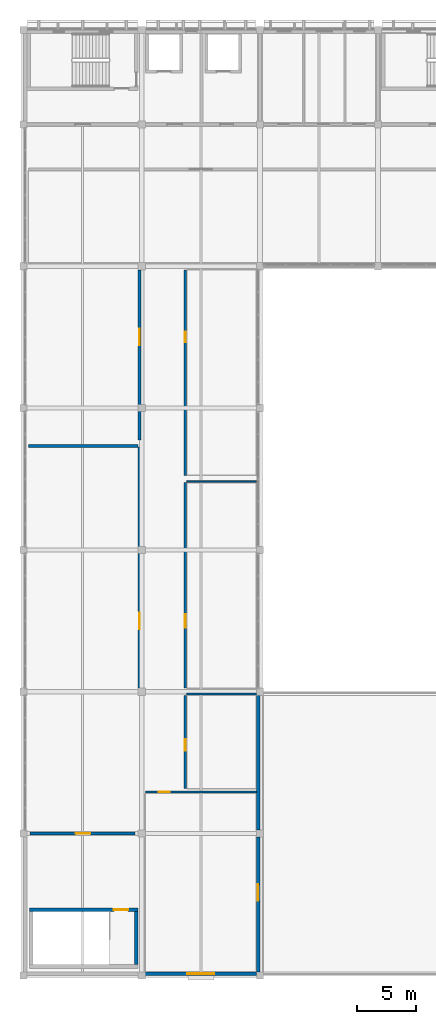
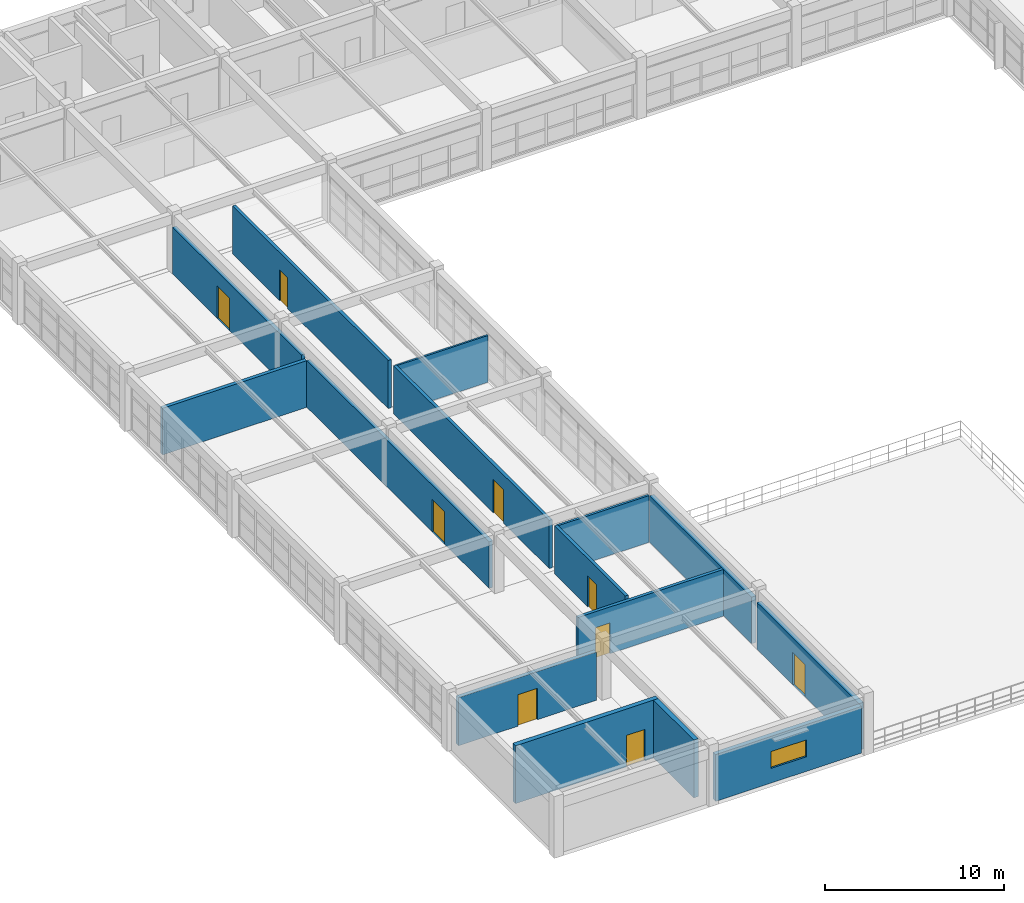
# One storey, part 19 of 28: 15 walls, 9 doors, 1 window, 10 openings.
"""IFC4 building model written with IfcOpenShell, lengths in metres."""

from ifc_helpers import new_model, si_unit, direction, frame, frame_2d, origin, place, context, subcontext, project, spatial, rectangle, extrude, material, layer, layer_set, type_object, element, fill, save


model = new_model("IFC4")

# Units and contexts
model_context = context("Model", 3, precision=1e-05, world=origin(), true_north=direction((0.0, 1.0)))
body_context = subcontext(model_context, "Body", "Model", "MODEL_VIEW")
ifc_project = project(units=[si_unit("LENGTHUNIT", "METRE"), si_unit("AREAUNIT", "SQUARE_METRE"), si_unit("VOLUMEUNIT", "CUBIC_METRE"), si_unit("PLANEANGLEUNIT", "RADIAN"), si_unit("MASSUNIT", "GRAM", prefix="KILO")], contexts=[model_context])

# Site, building, storey
site_placement = place(None, origin())
site = spatial("IfcSite", under=ifc_project, at=site_placement, CompositionType="ELEMENT")
building_placement = place(site_placement, origin())
building = spatial("IfcBuilding", under=site, at=building_placement, Name="Kivolera Central Railway Station", CompositionType="ELEMENT")
storey_placement = place(building_placement, frame((0.0, 0.0, 18.60009765625)))
storey = spatial("IfcBuildingStorey", under=building, at=storey_placement, Name="L04", CompositionType="ELEMENT", Elevation=18.60009765625)

# Wall, opening, door
ifc_material_1 = material(Name="Concrete C40/50", Category="concrete")
ifc_layer_1 = layer(ifc_material_1, 0.22998046875, Name="Concrete C40/50")
ifc_layer_set_1 = layer_set([ifc_layer_1], Name="Concrete C40/50")
wall_type_1 = type_object("IfcWallType", Name="WL-COMP-230", PredefinedType="PARTITIONING", material=ifc_layer_set_1)
wall_1_placement = place(storey_placement, frame((127.820068359375, 78.300048828125, 0.0), z_axis=(0.0, 0.0, 1.0), x_axis=(0.0, 1.0, 0.0)))
wall_1 = element("IfcWall", 1, at=wall_1_placement, inside=storey, type_object=wall_type_1, Name="L04 Interlocking Signalling Relay Laboratory Corridor Wall", PredefinedType="PARTITIONING", context=body_context, shape_type="SweptSolid", body=[
    extrude(rectangle(XDim=20.39990234375, YDim=0.22998046875, at=frame_2d((10.199951171875, 0.0))), origin(), (0.0, 0.0, 1.0), 3.18798828125),
])
opening_1_placement = place(wall_1_placement, frame((5.0, 0.0, 0.0)))
opening_1 = element("IfcOpeningElement", 2, at=opening_1_placement, cuts=wall_1, Name="Opening D-PLT-1400", PredefinedType="OPENING", context=body_context, shape_type="SweptSolid", body=[
    extrude(rectangle(XDim=1.39990234375, YDim=2.199951171875, at=frame_2d((0.699951171875, 1.10009765625))), frame((0.0, 0.125, 0.0), z_axis=(0.0, -1.0, 0.0), x_axis=(1.0, 0.0, 0.0)), (0.0, 0.0, 1.0), 0.25),
])
ifc_material_2 = material(Name="Anodised aluminium", Category="aluminium")
door_type_1 = type_object("IfcDoorType", Name="DR-D-PLT-1400", OperationType="NOTDEFINED", PredefinedType="DOOR", material=ifc_material_2)
door_1_placement = place(opening_1_placement, origin())
door_1 = element("IfcDoor", 3, at=door_1_placement, inside=storey, type_object=door_type_1, Name="L04 Interlocking Signalling Relay Laboratory Door", OperationType="SINGLE_SWING_LEFT", OverallHeight=2.199951171875, OverallWidth=1.39990234375, PredefinedType="DOOR", context=body_context, shape_type="SweptSolid", body=[
    extrude(rectangle(XDim=1.39990234375, YDim=2.199951171875, at=frame_2d((0.699951171875, 1.10009765625))), frame((0.0, 0.02490234375, 0.0), z_axis=(0.0, -1.0, 0.0), x_axis=(1.0, 0.0, 0.0)), (0.0, 0.0, 1.0), 0.050048828125),
])
fill(opening_1, door_1)

# Wall
wall_2_placement = place(storey_placement, frame((118.39990234375, 98.800048828125, 0.0), z_axis=(0.0, 0.0, 1.0), x_axis=(1.0, 0.0, 0.0)))
element("IfcWall", 4, at=wall_2_placement, inside=storey, type_object=wall_type_1, Name="L04 Interlocking Signalling Relay Laboratory Partition Wall", PredefinedType="PARTITIONING", context=body_context, shape_type="SweptSolid", body=[
    extrude(rectangle(XDim=9.300048828125, YDim=0.22998046875, at=frame_2d((4.64990234375, 0.0))), origin(), (0.0, 0.0, 1.0), 3.18798828125),
])

# Wall, opening, door
wall_3_placement = place(storey_placement, frame((127.820068359375, 99.300048828125, 0.0), z_axis=(0.0, 0.0, 1.0), x_axis=(0.0, 1.0, 0.0)))
wall_3 = element("IfcWall", 5, at=wall_3_placement, inside=storey, type_object=wall_type_1, Name="L04 Fibre Telecoms Transmission Laboratory Corridor Wall", PredefinedType="PARTITIONING", context=body_context, shape_type="SweptSolid", body=[
    extrude(rectangle(XDim=14.39990234375, YDim=0.22998046875, at=frame_2d((7.199951171875, 0.0))), origin(), (0.0, 0.0, 1.0), 3.18798828125),
])
opening_2_placement = place(wall_3_placement, frame((8.0, 0.0, 0.0)))
opening_2 = element("IfcOpeningElement", 6, at=opening_2_placement, cuts=wall_3, Name="Opening D-PLT-1400", PredefinedType="OPENING", context=body_context, shape_type="SweptSolid", body=[
    extrude(rectangle(XDim=1.39990234375, YDim=2.199951171875, at=frame_2d((0.699951171875, 1.10009765625))), frame((0.0, 0.125, 0.0), z_axis=(0.0, -1.0, 0.0), x_axis=(1.0, 0.0, 0.0)), (0.0, 0.0, 1.0), 0.25),
])
door_2_placement = place(opening_2_placement, origin())
door_2 = element("IfcDoor", 7, at=door_2_placement, inside=storey, type_object=door_type_1, Name="L04 Fibre Telecoms Transmission Laboratory Door", OperationType="SINGLE_SWING_RIGHT", OverallHeight=2.199951171875, OverallWidth=1.39990234375, PredefinedType="DOOR", context=body_context, shape_type="SweptSolid", body=[
    extrude(rectangle(XDim=1.39990234375, YDim=2.199951171875, at=frame_2d((0.699951171875, 1.10009765625))), frame((0.0, 0.02490234375, 0.0), z_axis=(0.0, -1.0, 0.0), x_axis=(1.0, 0.0, 0.0)), (0.0, 0.0, 1.0), 0.050048828125),
])
fill(opening_2, door_2)

ifc_material_3 = material(Name="Swahili coral limestone", Category="masonry")
ifc_layer_2 = layer(ifc_material_3, 0.199951171875, Name="Swahili coral limestone")
ifc_layer_set_2 = layer_set([ifc_layer_2], Name="Swahili coral limestone")
wall_type_2 = type_object("IfcWallType", Name="WL-COR-200", PredefinedType="PARTITIONING", material=ifc_layer_set_2)
wall_4_placement = place(storey_placement, frame((131.679931640625, 78.300048828125, 0.0), z_axis=(0.0, 0.0, 1.0), x_axis=(0.0, 1.0, 0.0)))
wall_4 = element("IfcWall", 8, at=wall_4_placement, inside=storey, type_object=wall_type_2, Name="L04 Signallers' Quiet Rest Lounge Corridor Wall", PredefinedType="PARTITIONING", context=body_context, shape_type="SweptSolid", body=[
    extrude(rectangle(XDim=17.39990234375, YDim=0.199951171875, at=frame_2d((8.699951171875, 0.0))), origin(), (0.0, 0.0, 1.0), 3.287841796875),
])
opening_3_placement = place(wall_4_placement, frame((5.125, 0.0, 0.0)))
opening_3 = element("IfcOpeningElement", 9, at=opening_3_placement, cuts=wall_4, Name="Opening D-SG-15", PredefinedType="OPENING", context=body_context, shape_type="SweptSolid", body=[
    extrude(rectangle(XDim=1.14990234375, YDim=2.300048828125, at=frame_2d((0.574951171875, 1.14990234375))), frame((0.0, 0.10986328125, 0.0), z_axis=(0.0, -1.0, 0.0), x_axis=(1.0, 0.0, 0.0)), (0.0, 0.0, 1.0), 0.219970703125),
])
ifc_material_4 = material(Name="Hardwood mvule timber", Category="wood")
door_type_2 = type_object("IfcDoorType", Name="DR-D-SG-15", OperationType="NOTDEFINED", PredefinedType="DOOR", material=ifc_material_4)
door_3_placement = place(opening_3_placement, origin())
door_3 = element("IfcDoor", 10, at=door_3_placement, inside=storey, type_object=door_type_2, Name="L04 Signallers' Quiet Rest Lounge Door", OperationType="SINGLE_SWING_LEFT", OverallHeight=2.300048828125, OverallWidth=1.14990234375, PredefinedType="DOOR", context=body_context, shape_type="SweptSolid", body=[
    extrude(rectangle(XDim=1.14990234375, YDim=2.300048828125, at=frame_2d((0.574951171875, 1.14990234375))), frame((0.0, 0.02490234375, 0.0), z_axis=(0.0, -1.0, 0.0), x_axis=(1.0, 0.0, 0.0)), (0.0, 0.0, 1.0), 0.050048828125),
])
fill(opening_3, door_3)

wall_5_placement = place(storey_placement, frame((131.679931640625, 96.300048828125, 0.0), z_axis=(0.0, 0.0, 1.0), x_axis=(0.0, 1.0, 0.0)))
wall_5 = element("IfcWall", 11, at=wall_5_placement, inside=storey, type_object=wall_type_2, Name="L04 Control Floor Refreshment Cafe Corridor Wall", PredefinedType="PARTITIONING", context=body_context, shape_type="SweptSolid", body=[
    extrude(rectangle(XDim=17.39990234375, YDim=0.199951171875, at=frame_2d((8.699951171875, 0.0))), origin(), (0.0, 0.0, 1.0), 3.287841796875),
])
opening_4_placement = place(wall_5_placement, frame((11.25, 0.0, 0.0)))
opening_4 = element("IfcOpeningElement", 12, at=opening_4_placement, cuts=wall_5, Name="Opening D-SG-01", PredefinedType="OPENING", context=body_context, shape_type="SweptSolid", body=[
    extrude(rectangle(XDim=0.89990234375, YDim=2.10009765625, at=frame_2d((0.449951171875, 1.050048828125))), frame((0.0, 0.10986328125, 0.0), z_axis=(0.0, -1.0, 0.0), x_axis=(1.0, 0.0, 0.0)), (0.0, 0.0, 1.0), 0.219970703125),
])
door_type_3 = type_object("IfcDoorType", Name="DR-D-SG-01", OperationType="NOTDEFINED", PredefinedType="DOOR", material=ifc_material_4)
door_4_placement = place(opening_4_placement, origin())
door_4 = element("IfcDoor", 13, at=door_4_placement, inside=storey, type_object=door_type_3, Name="L04 Control Floor Refreshment Cafe Door", OperationType="SINGLE_SWING_RIGHT", OverallHeight=2.10009765625, OverallWidth=0.89990234375, PredefinedType="DOOR", context=body_context, shape_type="SweptSolid", body=[
    extrude(rectangle(XDim=0.89990234375, YDim=2.10009765625, at=frame_2d((0.449951171875, 1.050048828125))), frame((0.0, 0.02490234375, 0.0), z_axis=(0.0, -1.0, 0.0), x_axis=(1.0, 0.0, 0.0)), (0.0, 0.0, 1.0), 0.050048828125),
])
fill(opening_4, door_4)

wall_6_placement = place(storey_placement, frame((128.300048828125, 69.52001953125, 0.0), z_axis=(0.0, 0.0, 1.0), x_axis=(1.0, 0.0, 0.0)))
wall_6 = element("IfcWall", 14, at=wall_6_placement, inside=storey, type_object=wall_type_2, Name="L04 Wayside Telemetry Engineering Studio Corridor Wall", PredefinedType="PARTITIONING", context=body_context, shape_type="SweptSolid", body=[
    extrude(rectangle(XDim=9.39990234375, YDim=0.199951171875, at=frame_2d((4.699951171875, 0.0))), origin(), (0.0, 0.0, 1.0), 3.18798828125),
])
opening_5_placement = place(wall_6_placement, frame((1.125, 0.0, 0.0)))
opening_5 = element("IfcOpeningElement", 15, at=opening_5_placement, cuts=wall_6, Name="Opening D-SG-02", PredefinedType="OPENING", context=body_context, shape_type="SweptSolid", body=[
    extrude(rectangle(XDim=0.949951171875, YDim=2.10009765625, at=frame_2d((0.47509765625, 1.050048828125))), frame((0.0, 0.10986328125, 0.0), z_axis=(0.0, -1.0, 0.0), x_axis=(1.0, 0.0, 0.0)), (0.0, 0.0, 1.0), 0.219970703125),
])
door_type_4 = type_object("IfcDoorType", Name="DR-D-SG-02", OperationType="NOTDEFINED", PredefinedType="DOOR", material=ifc_material_4)
door_5_placement = place(opening_5_placement, origin())
door_5 = element("IfcDoor", 16, at=door_5_placement, inside=storey, type_object=door_type_4, Name="L04 Wayside Telemetry Engineering Studio Door", OperationType="SINGLE_SWING_LEFT", OverallHeight=2.10009765625, OverallWidth=0.949951171875, PredefinedType="DOOR", context=body_context, shape_type="SweptSolid", body=[
    extrude(rectangle(XDim=0.949951171875, YDim=2.10009765625, at=frame_2d((0.47509765625, 1.050048828125))), frame((0.0, 0.02490234375, 0.0), z_axis=(0.0, -1.0, 0.0), x_axis=(1.0, 0.0, 0.0)), (0.0, 0.0, 1.0), 0.050048828125),
])
fill(opening_5, door_5)

wall_7_placement = place(storey_placement, frame((131.679931640625, 69.800048828125, 0.0), z_axis=(0.0, 0.0, 1.0), x_axis=(0.0, 1.0, 0.0)))
wall_7 = element("IfcWall", 17, at=wall_7_placement, inside=storey, type_object=wall_type_2, Name="L04 Calibration Instrument Laboratory Corridor Wall", PredefinedType="PARTITIONING", context=body_context, shape_type="SweptSolid", body=[
    extrude(rectangle(XDim=7.89990234375, YDim=0.199951171875, at=frame_2d((3.949951171875, 0.0))), origin(), (0.0, 0.0, 1.0), 3.287841796875),
])
opening_6_placement = place(wall_7_placement, frame((3.199951171875, 0.0, 0.0)))
opening_6 = element("IfcOpeningElement", 18, at=opening_6_placement, cuts=wall_7, Name="Opening D-SG-03", PredefinedType="OPENING", context=body_context, shape_type="SweptSolid", body=[
    extrude(rectangle(XDim=1.0, YDim=2.10009765625, at=frame_2d((0.5, 1.050048828125))), frame((0.0, 0.10986328125, 0.0), z_axis=(0.0, -1.0, 0.0), x_axis=(1.0, 0.0, 0.0)), (0.0, 0.0, 1.0), 0.219970703125),
])
door_type_5 = type_object("IfcDoorType", Name="DR-D-SG-03", OperationType="NOTDEFINED", PredefinedType="DOOR", material=ifc_material_4)
door_6_placement = place(opening_6_placement, origin())
door_6 = element("IfcDoor", 19, at=door_6_placement, inside=storey, type_object=door_type_5, Name="L04 Calibration Instrument Laboratory Door", OperationType="SINGLE_SWING_RIGHT", OverallHeight=2.10009765625, OverallWidth=1.0, PredefinedType="DOOR", context=body_context, shape_type="SweptSolid", body=[
    extrude(rectangle(XDim=1.0, YDim=2.10009765625, at=frame_2d((0.5, 1.050048828125))), frame((0.0, 0.02490234375, 0.0), z_axis=(0.0, -1.0, 0.0), x_axis=(1.0, 0.0, 0.0)), (0.0, 0.0, 1.0), 0.050048828125),
])
fill(opening_6, door_6)

ifc_layer_3 = layer(ifc_material_1, 0.300048828125, Name="Concrete C40/50")
ifc_layer_set_3 = layer_set([ifc_layer_3], Name="Concrete C40/50")
wall_type_3 = type_object("IfcWallType", Name="WL-CORE-300", PredefinedType="SHEAR", material=ifc_layer_set_3)
wall_8_placement = place(storey_placement, frame((118.5, 59.550048828125, 0.0), z_axis=(0.0, 0.0, 1.0), x_axis=(1.0, 0.0, 0.0)))
wall_8 = element("IfcWall", 20, at=wall_8_placement, inside=storey, type_object=wall_type_3, Name="L04 ST4 Core Left Shear Wall", PredefinedType="SHEAR", context=body_context, shape_type="SweptSolid", body=[
    extrude(rectangle(XDim=9.199951171875, YDim=0.300048828125, at=frame_2d((4.60009765625, 0.0))), origin(), (0.0, 0.0, 1.0), 3.949951171875),
])
opening_7_placement = place(wall_8_placement, frame((7.14990234375, 0.0, 0.0)))
opening_7 = element("IfcOpeningElement", 21, at=opening_7_placement, cuts=wall_8, Name="Opening D-STAIR-1200", PredefinedType="OPENING", context=body_context, shape_type="SweptSolid", body=[
    extrude(rectangle(XDim=1.199951171875, YDim=2.14990234375, at=frame_2d((0.60009765625, 1.074951171875))), frame((0.0, 0.159912109375, 0.0), z_axis=(0.0, -1.0, 0.0), x_axis=(1.0, 0.0, 0.0)), (0.0, 0.0, 1.0), 0.320068359375),
])
door_type_6 = type_object("IfcDoorType", Name="DR-D-STAIR-1200", OperationType="NOTDEFINED", PredefinedType="DOOR", material=ifc_material_4)
door_7_placement = place(opening_7_placement, origin())
door_7 = element("IfcDoor", 22, at=door_7_placement, inside=storey, type_object=door_type_6, Name="L04 ST4 Lobby Fire Door", OperationType="SINGLE_SWING_RIGHT", OverallHeight=2.14990234375, OverallWidth=1.199951171875, PredefinedType="DOOR", context=body_context, shape_type="SweptSolid", body=[
    extrude(rectangle(XDim=1.199951171875, YDim=2.14990234375, at=frame_2d((0.60009765625, 1.074951171875))), frame((0.0, 0.02490234375, 0.0), z_axis=(0.0, -1.0, 0.0), x_axis=(1.0, 0.0, 0.0)), (0.0, 0.0, 1.0), 0.050048828125),
])
fill(opening_7, door_7)

# Wall
wall_9_placement = place(storey_placement, frame((127.550048828125, 59.39990234375, 0.0), z_axis=(0.0, 0.0, 1.0), x_axis=(0.0, -1.0, 0.0)))
element("IfcWall", 23, at=wall_9_placement, inside=storey, type_object=wall_type_3, Name="L04 ST4 Core Near Shear Wall", PredefinedType="SHEAR", context=body_context, shape_type="SweptSolid", body=[
    extrude(rectangle(XDim=4.5, YDim=0.300048828125, at=frame_2d((2.25, 0.0))), origin(), (0.0, 0.0, 1.0), 3.949951171875),
])

# Wall, opening, door
ifc_layer_4 = layer(ifc_material_3, 0.2900390625, Name="Swahili coral limestone")
ifc_layer_set_4 = layer_set([ifc_layer_4], Name="Swahili coral limestone")
wall_type_4 = type_object("IfcWallType", Name="WL-EXT-CORAL-290", PredefinedType="SOLIDWALL", material=ifc_layer_set_4)
wall_10_placement = place(storey_placement, frame((137.85498046875, 65.705078125, 0.0), z_axis=(0.0, 0.0, 1.0), x_axis=(0.0, -1.0, 0.0)))
wall_10 = element("IfcWall", 24, at=wall_10_placement, inside=storey, type_object=wall_type_4, Name="L04 Terrace Step Wall E-F", PredefinedType="SOLIDWALL", context=body_context, shape_type="SweptSolid", body=[
    extrude(rectangle(XDim=11.41015625, YDim=0.2900390625, at=frame_2d((5.705078125, 0.0))), origin(), (0.0, 0.0, 1.0), 3.18798828125),
])
opening_8_placement = place(wall_10_placement, frame((4.0048828125, 0.0, 0.0)))
opening_8 = element("IfcOpeningElement", 25, at=opening_8_placement, cuts=wall_10, Name="Opening TD-1400", PredefinedType="OPENING", context=body_context, shape_type="SweptSolid", body=[
    extrude(rectangle(XDim=1.39990234375, YDim=2.199951171875, at=frame_2d((0.699951171875, 1.10009765625))), frame((0.0, 0.155029296875, 0.0), z_axis=(0.0, -1.0, 0.0), x_axis=(1.0, 0.0, 0.0)), (0.0, 0.0, 1.0), 0.31005859375),
])
door_type_7 = type_object("IfcDoorType", Name="DR-TD-1400", OperationType="NOTDEFINED", PredefinedType="DOOR", material=ifc_material_2)
door_8_placement = place(opening_8_placement, origin())
door_8 = element("IfcDoor", 26, at=door_8_placement, inside=storey, type_object=door_type_7, Name="L04 Telemetry Studio Monsoon Terrace Door", OperationType="SINGLE_SWING_LEFT", OverallHeight=2.199951171875, OverallWidth=1.39990234375, PredefinedType="DOOR", context=body_context, shape_type="SweptSolid", body=[
    extrude(rectangle(XDim=1.39990234375, YDim=2.199951171875, at=frame_2d((0.699951171875, 1.10009765625))), frame((0.0, 0.02490234375, 0.0), z_axis=(0.0, -1.0, 0.0), x_axis=(1.0, 0.0, 0.0)), (0.0, 0.0, 1.0), 0.050048828125),
])
fill(opening_8, door_8)

# Wall
wall_11_placement = place(storey_placement, frame((137.85498046875, 77.705078125, 0.0), z_axis=(0.0, 0.0, 1.0), x_axis=(0.0, -1.0, 0.0)))
element("IfcWall", 27, at=wall_11_placement, inside=storey, type_object=wall_type_4, Name="L04 Terrace Step Wall F-G", PredefinedType="SOLIDWALL", context=body_context, shape_type="SweptSolid", body=[
    extrude(rectangle(XDim=11.41015625, YDim=0.2900390625, at=frame_2d((5.705078125, 0.0))), origin(), (0.0, 0.0, 1.0), 3.18798828125),
])

# Wall, opening, window
wall_12_placement = place(storey_placement, frame((137.705078125, 54.14501953125, 0.0), z_axis=(0.0, 0.0, 1.0), x_axis=(-1.0, 0.0, 0.0)))
wall_12 = element("IfcWall", 28, at=wall_12_placement, inside=storey, type_object=wall_type_4, Name="L04 South Facade Wall 128-138", PredefinedType="SOLIDWALL", context=body_context, shape_type="SweptSolid", body=[
    extrude(rectangle(XDim=9.41015625, YDim=0.2900390625, at=frame_2d((4.705078125, 0.0))), origin(), (0.0, 0.0, 1.0), 3.18798828125),
])
opening_9_placement = place(wall_12_placement, frame((3.554931640625, 0.0, 1.0)))
opening_9 = element("IfcOpeningElement", 29, at=opening_9_placement, cuts=wall_12, Name="Opening WN-08", PredefinedType="OPENING", context=body_context, shape_type="SweptSolid", body=[
    extrude(rectangle(XDim=2.300048828125, YDim=1.14990234375, at=frame_2d((1.14990234375, 0.574951171875))), frame((0.0, 0.155029296875, 0.0), z_axis=(0.0, -1.0, 0.0), x_axis=(1.0, 0.0, 0.0)), (0.0, 0.0, 1.0), 0.31005859375),
])
ifc_material_5 = material(Name="Double low-E laminated glass", Category="glass")
window_type = type_object("IfcWindowType", Name="WIN-WN-08", PartitioningType="SINGLE_PANEL", PredefinedType="WINDOW", material=ifc_material_5)
window_placement = place(opening_9_placement, origin())
window = element("IfcWindow", 30, at=window_placement, inside=storey, type_object=window_type, Name="L04 South Facade Window 128", OverallHeight=1.14990234375, OverallWidth=2.300048828125, PartitioningType="SINGLE_PANEL", PredefinedType="WINDOW", context=body_context, shape_type="SweptSolid", body=[
    extrude(rectangle(XDim=2.300048828125, YDim=1.14990234375, at=frame_2d((1.14990234375, 0.574951171875))), frame((0.0, 0.030029296875, 0.0), z_axis=(0.0, -1.0, 0.0), x_axis=(1.0, 0.0, 0.0)), (0.0, 0.0, 1.0), 0.06005859375),
])
fill(opening_9, window)

# Wall, opening, door
ifc_layer_5 = layer(ifc_material_1, 0.25, Name="Concrete C40/50")
ifc_layer_set_5 = layer_set([ifc_layer_5], Name="Concrete C40/50")
wall_type_5 = type_object("IfcWallType", Name="WL-FFL-250", PredefinedType="PARTITIONING", material=ifc_layer_set_5)
wall_13_placement = place(storey_placement, frame((118.550048828125, 66.0, 0.0), z_axis=(0.0, 0.0, 1.0), x_axis=(1.0, 0.0, 0.0)))
wall_13 = element("IfcWall", 31, at=wall_13_placement, inside=storey, type_object=wall_type_5, Name="L04 ST4 Lobby Wall", PredefinedType="PARTITIONING", context=body_context, shape_type="SweptSolid", body=[
    extrude(rectangle(XDim=8.89990234375, YDim=0.25, at=frame_2d((4.449951171875, 0.0))), origin(), (0.0, 0.0, 1.0), 3.287841796875),
])
opening_10_placement = place(wall_13_placement, frame((3.85009765625, 0.0, 0.0)))
opening_10 = element("IfcOpeningElement", 32, at=opening_10_placement, cuts=wall_13, Name="Opening D-FFL-1250", PredefinedType="OPENING", context=body_context, shape_type="SweptSolid", body=[
    extrude(rectangle(XDim=1.25, YDim=2.14990234375, at=frame_2d((0.625, 1.074951171875))), frame((0.0, 0.135009765625, 0.0), z_axis=(0.0, -1.0, 0.0), x_axis=(1.0, 0.0, 0.0)), (0.0, 0.0, 1.0), 0.27001953125),
])
door_type_8 = type_object("IfcDoorType", Name="DR-D-FFL-1250", OperationType="NOTDEFINED", PredefinedType="DOOR", material=ifc_material_4)
door_9_placement = place(opening_10_placement, origin())
door_9 = element("IfcDoor", 33, at=door_9_placement, inside=storey, type_object=door_type_8, Name="L04 ST4 Lobby Corridor Door", OperationType="SINGLE_SWING_RIGHT", OverallHeight=2.14990234375, OverallWidth=1.25, PredefinedType="DOOR", context=body_context, shape_type="SweptSolid", body=[
    extrude(rectangle(XDim=1.25, YDim=2.14990234375, at=frame_2d((0.625, 1.074951171875))), frame((0.0, 0.02490234375, 0.0), z_axis=(0.0, -1.0, 0.0), x_axis=(1.0, 0.0, 0.0)), (0.0, 0.0, 1.0), 0.050048828125),
])
fill(opening_10, door_9)

# Walls
ifc_material_6 = material(Name="Gypsum plasterboard steel-stud partition")
ifc_layer_6 = layer(ifc_material_6, 0.1201171875, Name="Gypsum plasterboard steel-stud partition")
ifc_layer_set_6 = layer_set([ifc_layer_6], Name="Gypsum plasterboard steel-stud partition")
wall_type_6 = type_object("IfcWallType", Name="WL-PRT-120", PredefinedType="PARTITIONING", material=ifc_layer_set_6)
wall_14_placement = place(storey_placement, frame((131.800048828125, 95.800048828125, 0.0), z_axis=(0.0, 0.0, 1.0), x_axis=(1.0, 0.0, 0.0)))
element("IfcWall", 34, at=wall_14_placement, inside=storey, type_object=wall_type_6, Name="L04 Signallers' Quiet Rest Lounge Partition Wall", PredefinedType="PARTITIONING", context=body_context, shape_type="SweptSolid", body=[
    extrude(rectangle(XDim=5.89990234375, YDim=0.1201171875, at=frame_2d((2.949951171875, 0.0))), origin(), (0.0, 0.0, 1.0), 3.18798828125),
])
ifc_layer_7 = layer(ifc_material_6, 0.14990234375, Name="Gypsum plasterboard steel-stud partition")
ifc_layer_set_7 = layer_set([ifc_layer_7], Name="Gypsum plasterboard steel-stud partition")
wall_type_7 = type_object("IfcWallType", Name="WL-PRT-150", PredefinedType="PARTITIONING", material=ifc_layer_set_7)
wall_15_placement = place(storey_placement, frame((131.800048828125, 77.800048828125, 0.0), z_axis=(0.0, 0.0, 1.0), x_axis=(1.0, 0.0, 0.0)))
element("IfcWall", 35, at=wall_15_placement, inside=storey, type_object=wall_type_7, Name="L04 Calibration Instrument Laboratory Partition Wall", PredefinedType="PARTITIONING", context=body_context, shape_type="SweptSolid", body=[
    extrude(rectangle(XDim=5.89990234375, YDim=0.14990234375, at=frame_2d((2.949951171875, 0.0))), origin(), (0.0, 0.0, 1.0), 3.18798828125),
])

save(model, "model.ifc")
